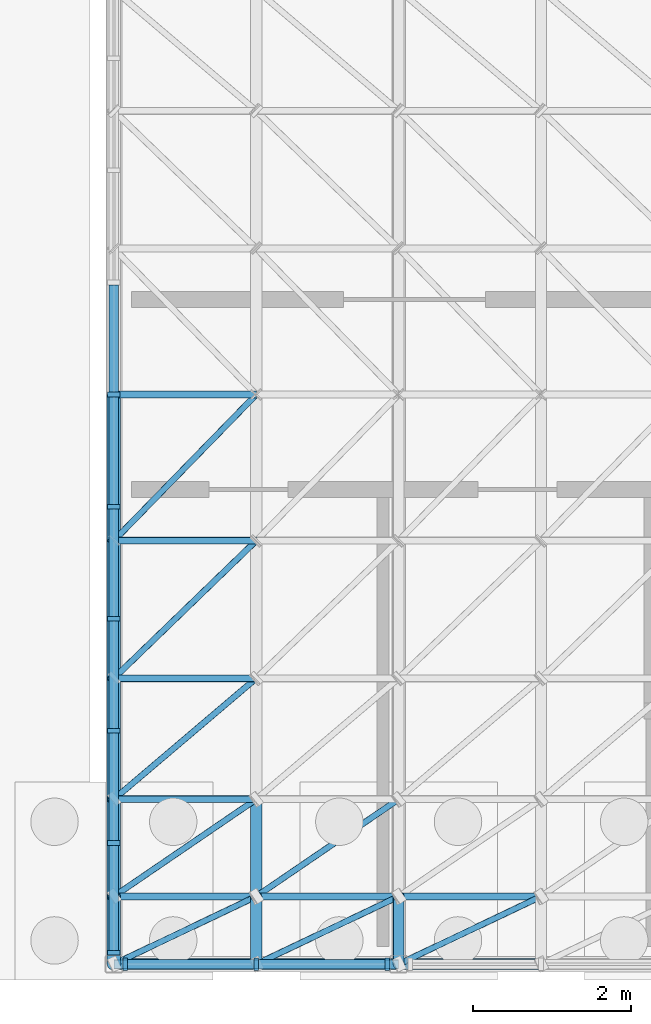
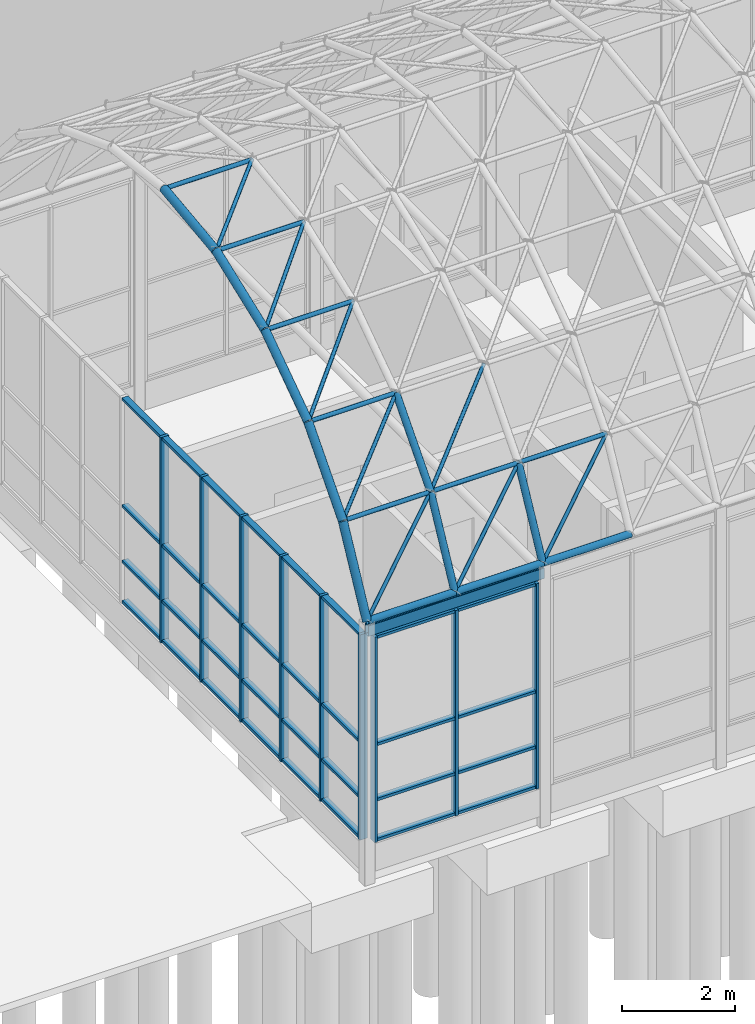
# One storey, part 24 of 116: 67 members, 1 beam, 2 elements without a shape of their own.
"""IFC4 building model written with IfcOpenShell, lengths in metres."""

from ifc_helpers import new_model, si_unit, direction, frame, origin, origin_2d, place, context, subcontext, project, spatial, rectangle, hollow_rectangle, hollow_circle, extrude, material, layer, layer_set, material_profile, profile_set, type_object, element, aggregate, save


model = new_model("IFC4")

# Units and contexts
model_context = context("Model", 3, precision=1e-05, world=origin(), true_north=direction((0.0, 1.0)))
body_context = subcontext(model_context, "Body", "Model", "MODEL_VIEW")
ifc_project = project(units=[si_unit("LENGTHUNIT", "METRE"), si_unit("AREAUNIT", "SQUARE_METRE"), si_unit("VOLUMEUNIT", "CUBIC_METRE"), si_unit("PLANEANGLEUNIT", "RADIAN"), si_unit("MASSUNIT", "GRAM", prefix="KILO")], contexts=[model_context])

# Site, building, storey
site_placement = place(None, origin())
site = spatial("IfcSite", under=ifc_project, at=site_placement, CompositionType="ELEMENT")
building_placement = place(site_placement, origin())
building = spatial("IfcBuilding", under=site, at=building_placement, Name="Ardhachandra Cancer Care Centre", CompositionType="ELEMENT")
storey_placement = place(building_placement, origin())
storey = spatial("IfcBuildingStorey", under=building, at=storey_placement, Name="L00", CompositionType="ELEMENT", Elevation=0.0)

# Beam
ifc_material_1 = material(Name="Steel E350 (IS 2062)", Category="steel")
ifc_material_profile_1 = material_profile(ifc_material_1, hollow_rectangle(XDim=0.1201171875, YDim=0.239990234375, WallThickness=0.006103515625, InnerFilletRadius=0.006103515625, OuterFilletRadius=0.011962890625, at=origin_2d()), Name="RHS 240x120x6.0")
ifc_profile_set_1 = profile_set([ifc_material_profile_1], Name="Steel E350 (IS 2062)")
beam_type = type_object("IfcBeamType", Name="Beam RHS 240x120x6.0", PredefinedType="BEAM", material=ifc_profile_set_1)
beam_placement = place(storey_placement, frame((63.60009765625, 7.199951171875, 5.210205078125), z_axis=(1.0, 0.0, 0.0), x_axis=(0.0, 1.0, 0.0)))
element("IfcBeam", 1, at=beam_placement, inside=storey, type_object=beam_type, Name="Pavilion edge beam S1-2", PredefinedType="BEAM", context=body_context, shape_type="SweptSolid", body=[
    extrude(hollow_rectangle(XDim=0.1201171875, YDim=0.239990234375, WallThickness=0.006103515625, InnerFilletRadius=0.006103515625, OuterFilletRadius=0.011962890625, at=origin_2d()), origin(), (0.0, 0.0, 1.0), 3.599853515625),
])

# Curtain wall, members
ifc_material_2 = material(Name="Aluminium extrusion", Category="aluminium")
ifc_layer = layer(ifc_material_2, 0.14990234375)
ifc_layer_set = layer_set([ifc_layer], Name="Aluminium extrusion")
curtain_wall_type = type_object("IfcCurtainWallType", Name="Curtain wall run", PredefinedType="NOTDEFINED", material=ifc_layer_set)
curtain_wall_1_placement = place(storey_placement, origin())
curtain_wall_1 = element("IfcCurtainWall", 2, at=curtain_wall_1_placement, inside=storey, type_object=curtain_wall_type, Name="Curtain wall L00 s/0063600_0007200", PredefinedType="NOTDEFINED")
ifc_material_3 = material(Name="Aluminium extrusion", Category="aluminium")
ifc_material_profile_2 = material_profile(ifc_material_3, rectangle(XDim=0.159912109375, YDim=0.06005859375, at=origin_2d()), Name="Curtain wall mullion 60 x 160")
ifc_profile_set_2 = profile_set([ifc_material_profile_2], Name="Aluminium extrusion")
member_type_1 = type_object("IfcMemberType", Name="Curtain wall mullion 60 x 160", PredefinedType="MULLION", material=ifc_profile_set_2)
member_1_placement = place(storey_placement, frame((63.7451171875, 7.199951171875, 0.60009765625), z_axis=(0.0, 0.0, 1.0), x_axis=(0.0, 1.0, 0.0)))
member_1 = element("IfcMember", 3, at=member_1_placement, type_object=member_type_1, Name="CW mullion 1", PredefinedType="MULLION", context=body_context, shape_type="SweptSolid", body=[
    extrude(rectangle(XDim=0.159912109375, YDim=0.06005859375, at=origin_2d()), origin(), (0.0, 0.0, 1.0), 4.449951171875),
])
member_2_placement = place(storey_placement, frame((65.39990234375, 7.199951171875, 0.60009765625), z_axis=(0.0, 0.0, 1.0), x_axis=(0.0, 1.0, 0.0)))
member_2 = element("IfcMember", 4, at=member_2_placement, type_object=member_type_1, Name="CW mullion 2", PredefinedType="MULLION", context=body_context, shape_type="SweptSolid", body=[
    extrude(rectangle(XDim=0.159912109375, YDim=0.06005859375, at=origin_2d()), origin(), (0.0, 0.0, 1.0), 4.449951171875),
])
member_3_placement = place(storey_placement, frame((67.054931640625, 7.199951171875, 0.60009765625), z_axis=(0.0, 0.0, 1.0), x_axis=(0.0, 1.0, 0.0)))
member_3 = element("IfcMember", 5, at=member_3_placement, type_object=member_type_1, Name="CW mullion 3", PredefinedType="MULLION", context=body_context, shape_type="SweptSolid", body=[
    extrude(rectangle(XDim=0.159912109375, YDim=0.06005859375, at=origin_2d()), origin(), (0.0, 0.0, 1.0), 4.449951171875),
])

curtain_wall_2_placement = place(storey_placement, origin())
curtain_wall_2 = element("IfcCurtainWall", 6, at=curtain_wall_2_placement, inside=storey, type_object=curtain_wall_type, Name="Curtain wall L00 w/0063600_0007200", PredefinedType="NOTDEFINED")
member_4_placement = place(storey_placement, frame((63.60009765625, 7.344970703125, 0.60009765625), z_axis=(0.0, 0.0, 1.0), x_axis=(-1.0, 0.0, 0.0)))
member_4 = element("IfcMember", 7, at=member_4_placement, type_object=member_type_1, Name="CW mullion 1", PredefinedType="MULLION", context=body_context, shape_type="SweptSolid", body=[
    extrude(rectangle(XDim=0.159912109375, YDim=0.06005859375, at=origin_2d()), origin(), (0.0, 0.0, 1.0), 4.449951171875),
])
member_5_placement = place(storey_placement, frame((63.60009765625, 8.73193359375, 0.60009765625), z_axis=(0.0, 0.0, 1.0), x_axis=(-1.0, 0.0, 0.0)))
member_5 = element("IfcMember", 8, at=member_5_placement, type_object=member_type_1, Name="CW mullion 2", PredefinedType="MULLION", context=body_context, shape_type="SweptSolid", body=[
    extrude(rectangle(XDim=0.159912109375, YDim=0.06005859375, at=origin_2d()), origin(), (0.0, 0.0, 1.0), 4.449951171875),
])
member_6_placement = place(storey_placement, frame((63.60009765625, 10.14892578125, 0.60009765625), z_axis=(0.0, 0.0, 1.0), x_axis=(-1.0, 0.0, 0.0)))
member_6 = element("IfcMember", 9, at=member_6_placement, type_object=member_type_1, Name="CW mullion 3", PredefinedType="MULLION", context=body_context, shape_type="SweptSolid", body=[
    extrude(rectangle(XDim=0.159912109375, YDim=0.06005859375, at=origin_2d()), origin(), (0.0, 0.0, 1.0), 4.449951171875),
])
member_7_placement = place(storey_placement, frame((63.60009765625, 11.56591796875, 0.60009765625), z_axis=(0.0, 0.0, 1.0), x_axis=(-1.0, 0.0, 0.0)))
member_7 = element("IfcMember", 10, at=member_7_placement, type_object=member_type_1, Name="CW mullion 4", PredefinedType="MULLION", context=body_context, shape_type="SweptSolid", body=[
    extrude(rectangle(XDim=0.159912109375, YDim=0.06005859375, at=origin_2d()), origin(), (0.0, 0.0, 1.0), 4.449951171875),
])
member_8_placement = place(storey_placement, frame((63.60009765625, 12.98291015625, 0.60009765625), z_axis=(0.0, 0.0, 1.0), x_axis=(-1.0, 0.0, 0.0)))
member_8 = element("IfcMember", 11, at=member_8_placement, type_object=member_type_1, Name="CW mullion 5", PredefinedType="MULLION", context=body_context, shape_type="SweptSolid", body=[
    extrude(rectangle(XDim=0.159912109375, YDim=0.06005859375, at=origin_2d()), origin(), (0.0, 0.0, 1.0), 4.449951171875),
])
member_9_placement = place(storey_placement, frame((63.60009765625, 14.39990234375, 0.60009765625), z_axis=(0.0, 0.0, 1.0), x_axis=(-1.0, 0.0, 0.0)))
member_9 = element("IfcMember", 12, at=member_9_placement, type_object=member_type_1, Name="CW mullion 6", PredefinedType="MULLION", context=body_context, shape_type="SweptSolid", body=[
    extrude(rectangle(XDim=0.159912109375, YDim=0.06005859375, at=origin_2d()), origin(), (0.0, 0.0, 1.0), 4.449951171875),
])

# Member
ifc_material_4 = material(Name="Aluminium extrusion", Category="aluminium")
ifc_material_profile_3 = material_profile(ifc_material_4, rectangle(XDim=0.1201171875, YDim=0.06005859375, at=origin_2d()), Name="Curtain wall transom 60 x 120")
ifc_profile_set_3 = profile_set([ifc_material_profile_3], Name="Aluminium extrusion")
member_type_2 = type_object("IfcMemberType", Name="Curtain wall transom 60 x 120", PredefinedType="USERDEFINED", material=ifc_profile_set_3)
member_10_placement = place(storey_placement, frame((63.77490234375, 7.199951171875, 0.6298828125), z_axis=(1.0, 0.0, 0.0), x_axis=(0.0, 1.0, 0.0)))
member_10 = element("IfcMember", 13, at=member_10_placement, type_object=member_type_2, Name="CW transom 1.1", ObjectType="TRANSOM", PredefinedType="USERDEFINED", context=body_context, shape_type="SweptSolid", body=[
    extrude(rectangle(XDim=0.1201171875, YDim=0.06005859375, at=origin_2d()), origin(), (0.0, 0.0, 1.0), 1.59521484375),
])

member_11_placement = place(storey_placement, frame((63.77490234375, 7.199951171875, 1.5), z_axis=(1.0, 0.0, 0.0), x_axis=(0.0, 1.0, 0.0)))
member_11 = element("IfcMember", 14, at=member_11_placement, type_object=member_type_2, Name="CW transom 1.2", ObjectType="TRANSOM", PredefinedType="USERDEFINED", context=body_context, shape_type="SweptSolid", body=[
    extrude(rectangle(XDim=0.1201171875, YDim=0.06005859375, at=origin_2d()), origin(), (0.0, 0.0, 1.0), 1.59521484375),
])

member_12_placement = place(storey_placement, frame((63.77490234375, 7.199951171875, 2.699951171875), z_axis=(1.0, 0.0, 0.0), x_axis=(0.0, 1.0, 0.0)))
member_12 = element("IfcMember", 15, at=member_12_placement, type_object=member_type_2, Name="CW transom 1.3", ObjectType="TRANSOM", PredefinedType="USERDEFINED", context=body_context, shape_type="SweptSolid", body=[
    extrude(rectangle(XDim=0.1201171875, YDim=0.06005859375, at=origin_2d()), origin(), (0.0, 0.0, 1.0), 1.59521484375),
])

member_13_placement = place(storey_placement, frame((63.77490234375, 7.199951171875, 5.02001953125), z_axis=(1.0, 0.0, 0.0), x_axis=(0.0, 1.0, 0.0)))
member_13 = element("IfcMember", 16, at=member_13_placement, type_object=member_type_2, Name="CW transom 1.4", ObjectType="TRANSOM", PredefinedType="USERDEFINED", context=body_context, shape_type="SweptSolid", body=[
    extrude(rectangle(XDim=0.1201171875, YDim=0.06005859375, at=origin_2d()), origin(), (0.0, 0.0, 1.0), 1.59521484375),
])

member_14_placement = place(storey_placement, frame((65.429931640625, 7.199951171875, 0.6298828125), z_axis=(1.0, 0.0, 0.0), x_axis=(0.0, 1.0, 0.0)))
member_14 = element("IfcMember", 17, at=member_14_placement, type_object=member_type_2, Name="CW transom 2.1", ObjectType="TRANSOM", PredefinedType="USERDEFINED", context=body_context, shape_type="SweptSolid", body=[
    extrude(rectangle(XDim=0.1201171875, YDim=0.06005859375, at=origin_2d()), origin(), (0.0, 0.0, 1.0), 1.594970703125),
])

member_15_placement = place(storey_placement, frame((65.429931640625, 7.199951171875, 1.5), z_axis=(1.0, 0.0, 0.0), x_axis=(0.0, 1.0, 0.0)))
member_15 = element("IfcMember", 18, at=member_15_placement, type_object=member_type_2, Name="CW transom 2.2", ObjectType="TRANSOM", PredefinedType="USERDEFINED", context=body_context, shape_type="SweptSolid", body=[
    extrude(rectangle(XDim=0.1201171875, YDim=0.06005859375, at=origin_2d()), origin(), (0.0, 0.0, 1.0), 1.594970703125),
])

member_16_placement = place(storey_placement, frame((65.429931640625, 7.199951171875, 2.699951171875), z_axis=(1.0, 0.0, 0.0), x_axis=(0.0, 1.0, 0.0)))
member_16 = element("IfcMember", 19, at=member_16_placement, type_object=member_type_2, Name="CW transom 2.3", ObjectType="TRANSOM", PredefinedType="USERDEFINED", context=body_context, shape_type="SweptSolid", body=[
    extrude(rectangle(XDim=0.1201171875, YDim=0.06005859375, at=origin_2d()), origin(), (0.0, 0.0, 1.0), 1.594970703125),
])

member_17_placement = place(storey_placement, frame((65.429931640625, 7.199951171875, 5.02001953125), z_axis=(1.0, 0.0, 0.0), x_axis=(0.0, 1.0, 0.0)))
member_17 = element("IfcMember", 20, at=member_17_placement, type_object=member_type_2, Name="CW transom 2.4", ObjectType="TRANSOM", PredefinedType="USERDEFINED", context=body_context, shape_type="SweptSolid", body=[
    extrude(rectangle(XDim=0.1201171875, YDim=0.06005859375, at=origin_2d()), origin(), (0.0, 0.0, 1.0), 1.594970703125),
])

aggregate(curtain_wall_1, [member_1, member_2, member_3, member_10, member_11, member_12, member_13, member_14, member_15, member_16, member_17])

member_18_placement = place(storey_placement, frame((63.60009765625, 7.375, 0.6298828125), z_axis=(0.0, 1.0, 0.0), x_axis=(-1.0, 0.0, 0.0)))
member_18 = element("IfcMember", 21, at=member_18_placement, type_object=member_type_2, Name="CW transom 1.1", ObjectType="TRANSOM", PredefinedType="USERDEFINED", context=body_context, shape_type="SweptSolid", body=[
    extrude(rectangle(XDim=0.1201171875, YDim=0.06005859375, at=origin_2d()), origin(), (0.0, 0.0, 1.0), 1.326904296875),
])

member_19_placement = place(storey_placement, frame((63.60009765625, 7.375, 1.5), z_axis=(0.0, 1.0, 0.0), x_axis=(-1.0, 0.0, 0.0)))
member_19 = element("IfcMember", 22, at=member_19_placement, type_object=member_type_2, Name="CW transom 1.2", ObjectType="TRANSOM", PredefinedType="USERDEFINED", context=body_context, shape_type="SweptSolid", body=[
    extrude(rectangle(XDim=0.1201171875, YDim=0.06005859375, at=origin_2d()), origin(), (0.0, 0.0, 1.0), 1.326904296875),
])

member_20_placement = place(storey_placement, frame((63.60009765625, 7.375, 2.699951171875), z_axis=(0.0, 1.0, 0.0), x_axis=(-1.0, 0.0, 0.0)))
member_20 = element("IfcMember", 23, at=member_20_placement, type_object=member_type_2, Name="CW transom 1.3", ObjectType="TRANSOM", PredefinedType="USERDEFINED", context=body_context, shape_type="SweptSolid", body=[
    extrude(rectangle(XDim=0.1201171875, YDim=0.06005859375, at=origin_2d()), origin(), (0.0, 0.0, 1.0), 1.326904296875),
])

member_21_placement = place(storey_placement, frame((63.60009765625, 7.375, 5.02001953125), z_axis=(0.0, 1.0, 0.0), x_axis=(-1.0, 0.0, 0.0)))
member_21 = element("IfcMember", 24, at=member_21_placement, type_object=member_type_2, Name="CW transom 1.4", ObjectType="TRANSOM", PredefinedType="USERDEFINED", context=body_context, shape_type="SweptSolid", body=[
    extrude(rectangle(XDim=0.1201171875, YDim=0.06005859375, at=origin_2d()), origin(), (0.0, 0.0, 1.0), 1.326904296875),
])

member_22_placement = place(storey_placement, frame((63.60009765625, 8.761962890625, 0.6298828125), z_axis=(0.0, 1.0, 0.0), x_axis=(-1.0, 0.0, 0.0)))
member_22 = element("IfcMember", 25, at=member_22_placement, type_object=member_type_2, Name="CW transom 2.1", ObjectType="TRANSOM", PredefinedType="USERDEFINED", context=body_context, shape_type="SweptSolid", body=[
    extrude(rectangle(XDim=0.1201171875, YDim=0.06005859375, at=origin_2d()), origin(), (0.0, 0.0, 1.0), 1.35693359375),
])

member_23_placement = place(storey_placement, frame((63.60009765625, 8.761962890625, 1.5), z_axis=(0.0, 1.0, 0.0), x_axis=(-1.0, 0.0, 0.0)))
member_23 = element("IfcMember", 26, at=member_23_placement, type_object=member_type_2, Name="CW transom 2.2", ObjectType="TRANSOM", PredefinedType="USERDEFINED", context=body_context, shape_type="SweptSolid", body=[
    extrude(rectangle(XDim=0.1201171875, YDim=0.06005859375, at=origin_2d()), origin(), (0.0, 0.0, 1.0), 1.35693359375),
])

member_24_placement = place(storey_placement, frame((63.60009765625, 8.761962890625, 2.699951171875), z_axis=(0.0, 1.0, 0.0), x_axis=(-1.0, 0.0, 0.0)))
member_24 = element("IfcMember", 27, at=member_24_placement, type_object=member_type_2, Name="CW transom 2.3", ObjectType="TRANSOM", PredefinedType="USERDEFINED", context=body_context, shape_type="SweptSolid", body=[
    extrude(rectangle(XDim=0.1201171875, YDim=0.06005859375, at=origin_2d()), origin(), (0.0, 0.0, 1.0), 1.35693359375),
])

member_25_placement = place(storey_placement, frame((63.60009765625, 8.761962890625, 5.02001953125), z_axis=(0.0, 1.0, 0.0), x_axis=(-1.0, 0.0, 0.0)))
member_25 = element("IfcMember", 28, at=member_25_placement, type_object=member_type_2, Name="CW transom 2.4", ObjectType="TRANSOM", PredefinedType="USERDEFINED", context=body_context, shape_type="SweptSolid", body=[
    extrude(rectangle(XDim=0.1201171875, YDim=0.06005859375, at=origin_2d()), origin(), (0.0, 0.0, 1.0), 1.35693359375),
])

member_26_placement = place(storey_placement, frame((63.60009765625, 10.178955078125, 0.6298828125), z_axis=(0.0, 1.0, 0.0), x_axis=(-1.0, 0.0, 0.0)))
member_26 = element("IfcMember", 29, at=member_26_placement, type_object=member_type_2, Name="CW transom 3.1", ObjectType="TRANSOM", PredefinedType="USERDEFINED", context=body_context, shape_type="SweptSolid", body=[
    extrude(rectangle(XDim=0.1201171875, YDim=0.06005859375, at=origin_2d()), origin(), (0.0, 0.0, 1.0), 1.35693359375),
])

member_27_placement = place(storey_placement, frame((63.60009765625, 10.178955078125, 1.5), z_axis=(0.0, 1.0, 0.0), x_axis=(-1.0, 0.0, 0.0)))
member_27 = element("IfcMember", 30, at=member_27_placement, type_object=member_type_2, Name="CW transom 3.2", ObjectType="TRANSOM", PredefinedType="USERDEFINED", context=body_context, shape_type="SweptSolid", body=[
    extrude(rectangle(XDim=0.1201171875, YDim=0.06005859375, at=origin_2d()), origin(), (0.0, 0.0, 1.0), 1.35693359375),
])

member_28_placement = place(storey_placement, frame((63.60009765625, 10.178955078125, 2.699951171875), z_axis=(0.0, 1.0, 0.0), x_axis=(-1.0, 0.0, 0.0)))
member_28 = element("IfcMember", 31, at=member_28_placement, type_object=member_type_2, Name="CW transom 3.3", ObjectType="TRANSOM", PredefinedType="USERDEFINED", context=body_context, shape_type="SweptSolid", body=[
    extrude(rectangle(XDim=0.1201171875, YDim=0.06005859375, at=origin_2d()), origin(), (0.0, 0.0, 1.0), 1.35693359375),
])

member_29_placement = place(storey_placement, frame((63.60009765625, 10.178955078125, 5.02001953125), z_axis=(0.0, 1.0, 0.0), x_axis=(-1.0, 0.0, 0.0)))
member_29 = element("IfcMember", 32, at=member_29_placement, type_object=member_type_2, Name="CW transom 3.4", ObjectType="TRANSOM", PredefinedType="USERDEFINED", context=body_context, shape_type="SweptSolid", body=[
    extrude(rectangle(XDim=0.1201171875, YDim=0.06005859375, at=origin_2d()), origin(), (0.0, 0.0, 1.0), 1.35693359375),
])

member_30_placement = place(storey_placement, frame((63.60009765625, 11.595947265625, 0.6298828125), z_axis=(0.0, 1.0, 0.0), x_axis=(-1.0, 0.0, 0.0)))
member_30 = element("IfcMember", 33, at=member_30_placement, type_object=member_type_2, Name="CW transom 4.1", ObjectType="TRANSOM", PredefinedType="USERDEFINED", context=body_context, shape_type="SweptSolid", body=[
    extrude(rectangle(XDim=0.1201171875, YDim=0.06005859375, at=origin_2d()), origin(), (0.0, 0.0, 1.0), 1.35693359375),
])

member_31_placement = place(storey_placement, frame((63.60009765625, 11.595947265625, 1.5), z_axis=(0.0, 1.0, 0.0), x_axis=(-1.0, 0.0, 0.0)))
member_31 = element("IfcMember", 34, at=member_31_placement, type_object=member_type_2, Name="CW transom 4.2", ObjectType="TRANSOM", PredefinedType="USERDEFINED", context=body_context, shape_type="SweptSolid", body=[
    extrude(rectangle(XDim=0.1201171875, YDim=0.06005859375, at=origin_2d()), origin(), (0.0, 0.0, 1.0), 1.35693359375),
])

member_32_placement = place(storey_placement, frame((63.60009765625, 11.595947265625, 2.699951171875), z_axis=(0.0, 1.0, 0.0), x_axis=(-1.0, 0.0, 0.0)))
member_32 = element("IfcMember", 35, at=member_32_placement, type_object=member_type_2, Name="CW transom 4.3", ObjectType="TRANSOM", PredefinedType="USERDEFINED", context=body_context, shape_type="SweptSolid", body=[
    extrude(rectangle(XDim=0.1201171875, YDim=0.06005859375, at=origin_2d()), origin(), (0.0, 0.0, 1.0), 1.35693359375),
])

member_33_placement = place(storey_placement, frame((63.60009765625, 11.595947265625, 5.02001953125), z_axis=(0.0, 1.0, 0.0), x_axis=(-1.0, 0.0, 0.0)))
member_33 = element("IfcMember", 36, at=member_33_placement, type_object=member_type_2, Name="CW transom 4.4", ObjectType="TRANSOM", PredefinedType="USERDEFINED", context=body_context, shape_type="SweptSolid", body=[
    extrude(rectangle(XDim=0.1201171875, YDim=0.06005859375, at=origin_2d()), origin(), (0.0, 0.0, 1.0), 1.35693359375),
])

member_34_placement = place(storey_placement, frame((63.60009765625, 13.012939453125, 0.6298828125), z_axis=(0.0, 1.0, 0.0), x_axis=(-1.0, 0.0, 0.0)))
member_34 = element("IfcMember", 37, at=member_34_placement, type_object=member_type_2, Name="CW transom 5.1", ObjectType="TRANSOM", PredefinedType="USERDEFINED", context=body_context, shape_type="SweptSolid", body=[
    extrude(rectangle(XDim=0.1201171875, YDim=0.06005859375, at=origin_2d()), origin(), (0.0, 0.0, 1.0), 1.357177734375),
])

member_35_placement = place(storey_placement, frame((63.60009765625, 13.012939453125, 1.5), z_axis=(0.0, 1.0, 0.0), x_axis=(-1.0, 0.0, 0.0)))
member_35 = element("IfcMember", 38, at=member_35_placement, type_object=member_type_2, Name="CW transom 5.2", ObjectType="TRANSOM", PredefinedType="USERDEFINED", context=body_context, shape_type="SweptSolid", body=[
    extrude(rectangle(XDim=0.1201171875, YDim=0.06005859375, at=origin_2d()), origin(), (0.0, 0.0, 1.0), 1.357177734375),
])

member_36_placement = place(storey_placement, frame((63.60009765625, 13.012939453125, 2.699951171875), z_axis=(0.0, 1.0, 0.0), x_axis=(-1.0, 0.0, 0.0)))
member_36 = element("IfcMember", 39, at=member_36_placement, type_object=member_type_2, Name="CW transom 5.3", ObjectType="TRANSOM", PredefinedType="USERDEFINED", context=body_context, shape_type="SweptSolid", body=[
    extrude(rectangle(XDim=0.1201171875, YDim=0.06005859375, at=origin_2d()), origin(), (0.0, 0.0, 1.0), 1.357177734375),
])

member_37_placement = place(storey_placement, frame((63.60009765625, 13.012939453125, 5.02001953125), z_axis=(0.0, 1.0, 0.0), x_axis=(-1.0, 0.0, 0.0)))
member_37 = element("IfcMember", 40, at=member_37_placement, type_object=member_type_2, Name="CW transom 5.4", ObjectType="TRANSOM", PredefinedType="USERDEFINED", context=body_context, shape_type="SweptSolid", body=[
    extrude(rectangle(XDim=0.1201171875, YDim=0.06005859375, at=origin_2d()), origin(), (0.0, 0.0, 1.0), 1.357177734375),
])

member_38_placement = place(storey_placement, frame((63.60009765625, 14.429931640625, 0.6298828125), z_axis=(0.0, 1.0, 0.0), x_axis=(-1.0, 0.0, 0.0)))
member_38 = element("IfcMember", 41, at=member_38_placement, type_object=member_type_2, Name="CW transom 6.1", ObjectType="TRANSOM", PredefinedType="USERDEFINED", context=body_context, shape_type="SweptSolid", body=[
    extrude(rectangle(XDim=0.1201171875, YDim=0.06005859375, at=origin_2d()), origin(), (0.0, 0.0, 1.0), 1.357177734375),
])

member_39_placement = place(storey_placement, frame((63.60009765625, 14.429931640625, 1.5), z_axis=(0.0, 1.0, 0.0), x_axis=(-1.0, 0.0, 0.0)))
member_39 = element("IfcMember", 42, at=member_39_placement, type_object=member_type_2, Name="CW transom 6.2", ObjectType="TRANSOM", PredefinedType="USERDEFINED", context=body_context, shape_type="SweptSolid", body=[
    extrude(rectangle(XDim=0.1201171875, YDim=0.06005859375, at=origin_2d()), origin(), (0.0, 0.0, 1.0), 1.357177734375),
])

member_40_placement = place(storey_placement, frame((63.60009765625, 14.429931640625, 2.699951171875), z_axis=(0.0, 1.0, 0.0), x_axis=(-1.0, 0.0, 0.0)))
member_40 = element("IfcMember", 43, at=member_40_placement, type_object=member_type_2, Name="CW transom 6.3", ObjectType="TRANSOM", PredefinedType="USERDEFINED", context=body_context, shape_type="SweptSolid", body=[
    extrude(rectangle(XDim=0.1201171875, YDim=0.06005859375, at=origin_2d()), origin(), (0.0, 0.0, 1.0), 1.357177734375),
])

member_41_placement = place(storey_placement, frame((63.60009765625, 14.429931640625, 5.02001953125), z_axis=(0.0, 1.0, 0.0), x_axis=(-1.0, 0.0, 0.0)))
member_41 = element("IfcMember", 44, at=member_41_placement, type_object=member_type_2, Name="CW transom 6.4", ObjectType="TRANSOM", PredefinedType="USERDEFINED", context=body_context, shape_type="SweptSolid", body=[
    extrude(rectangle(XDim=0.1201171875, YDim=0.06005859375, at=origin_2d()), origin(), (0.0, 0.0, 1.0), 1.357177734375),
])

aggregate(curtain_wall_2, [member_4, member_5, member_6, member_7, member_8, member_9, member_18, member_19, member_20, member_21, member_22, member_23, member_24, member_25, member_26, member_27, member_28, member_29, member_30, member_31, member_32, member_33, member_34, member_35, member_36, member_37, member_38, member_39, member_40, member_41])

# Members
ifc_material_5 = material(Name="Steel E350 (IS 2062)", Category="steel")
ifc_material_profile_4 = material_profile(ifc_material_5, hollow_circle(Radius=0.0380859375, WallThickness=0.00390625, at=origin_2d()), Name="CHS 76.1x4.0")
ifc_profile_set_4 = profile_set([ifc_material_profile_4], Name="Steel E350 (IS 2062)")
member_type_3 = type_object("IfcMemberType", Name="Pavilion shell Diagonal CHS 76.1x4.0", PredefinedType="BRACE", material=ifc_profile_set_4)
member_42_placement = place(storey_placement, frame((63.60009765625, 7.199951171875, 5.39990234375), z_axis=(0.69516776168, 0.330798766681, 0.638211531613), x_axis=(-0.429686325077, 0.902978217922, 0.0)))
element("IfcMember", 45, at=member_42_placement, inside=storey, type_object=member_type_3, Name="Pavilion shell diagonal 00-00", PredefinedType="BRACE", context=body_context, shape_type="SweptSolid", body=[
    extrude(hollow_circle(Radius=0.0380859375, WallThickness=0.00390625, at=origin_2d()), origin(), (0.0, 0.0, 1.0), 2.589111328125),
])
member_43_placement = place(storey_placement, frame((63.60009765625, 8.056396484375, 7.05224609375), z_axis=(0.695179469854, 0.474517511164, 0.539961698912), x_axis=(-0.56376782788, 0.825933312228, 0.0)))
element("IfcMember", 46, at=member_43_placement, inside=storey, type_object=member_type_3, Name="Pavilion shell diagonal 00-01", PredefinedType="BRACE", context=body_context, shape_type="SweptSolid", body=[
    extrude(hollow_circle(Radius=0.0380859375, WallThickness=0.00390625, at=origin_2d()), origin(), (0.0, 0.0, 1.0), 2.5888671875),
])
member_44_placement = place(storey_placement, frame((63.60009765625, 9.284912109375, 8.4501953125), z_axis=(0.695149650411, 0.590481159913, 0.409998735755), x_axis=(-0.647396299531, 0.76215354841, 0.0)))
element("IfcMember", 47, at=member_44_placement, inside=storey, type_object=member_type_3, Name="Pavilion shell diagonal 00-02", PredefinedType="BRACE", context=body_context, shape_type="SweptSolid", body=[
    extrude(hollow_circle(Radius=0.0380859375, WallThickness=0.00390625, at=origin_2d()), origin(), (0.0, 0.0, 1.0), 2.589111328125),
])
for number, where, z_axis, x_axis, name in (
    (48, (63.60009765625, 10.813720703125, 9.51171875), (0.695178684757, 0.671698015671, 0.256024162929), (-0.694857345354, 0.71914759932, 0.0), "Pavilion shell diagonal 00-03"),
    (49, (63.60009765625, 12.552734375, 10.174560546875), (0.695215992153, 0.713511149841, 0.087043456424), (-0.716229588145, 0.69786472691, 0.0), "Pavilion shell diagonal 00-04"),
):
    element("IfcMember", number, at=place(storey_placement, frame(where, z_axis=z_axis, x_axis=x_axis)), inside=storey, type_object=member_type_3, Name=name, PredefinedType="BRACE", context=body_context, shape_type="SweptSolid", body=[
        extrude(hollow_circle(Radius=0.0380859375, WallThickness=0.00390625, at=origin_2d()), origin(), (0.0, 0.0, 1.0), 2.5888671875),
    ])
for number, where, z_axis, x_axis, name in (
    (50, (65.39990234375, 7.199951171875, 5.39990234375), (0.695216484809, 0.330777082424, 0.638169696079), (-0.429638804888, 0.903000829088, 0.0), "Pavilion shell diagonal 01-00"),
    (51, (65.39990234375, 8.056396484375, 7.05224609375), (0.695228192268, 0.474486404923, 0.539926302581), (-0.563715663494, 0.825968916323, 0.0), "Pavilion shell diagonal 01-01"),
    (52, (67.199951171875, 7.199951171875, 5.39990234375), (0.695216484809, 0.330777082424, 0.638169696079), (-0.429638804888, 0.903000829088, 0.0), "Pavilion shell diagonal 02-00"),
):
    element("IfcMember", number, at=place(storey_placement, frame(where, z_axis=z_axis, x_axis=x_axis)), inside=storey, type_object=member_type_3, Name=name, PredefinedType="BRACE", context=body_context, shape_type="SweptSolid", body=[
        extrude(hollow_circle(Radius=0.0380859375, WallThickness=0.00390625, at=origin_2d()), origin(), (0.0, 0.0, 1.0), 2.589111328125),
    ])
ifc_material_6 = material(Name="Steel E350 (IS 2062)", Category="steel")
ifc_material_profile_5 = material_profile(ifc_material_6, hollow_circle(Radius=0.06982421875, WallThickness=0.0048828125, at=origin_2d()), Name="CHS 139.7x5.0")
ifc_profile_set_5 = profile_set([ifc_material_profile_5], Name="Steel E350 (IS 2062)")
member_type_4 = type_object("IfcMemberType", Name="Pavilion shell Purlin CHS 139.7x5.0", PredefinedType="PURLIN", material=ifc_profile_set_5)
member_45_placement = place(storey_placement, frame((63.60009765625, 7.199951171875, 5.39990234375), z_axis=(1.0, 0.0, 0.0), x_axis=(0.0, 1.0, 0.0)))
element("IfcMember", 53, at=member_45_placement, inside=storey, type_object=member_type_4, Name="Pavilion shell purlin 00-00", PredefinedType="PURLIN", context=body_context, shape_type="SweptSolid", body=[
    extrude(hollow_circle(Radius=0.06982421875, WallThickness=0.0048828125, at=origin_2d()), origin(), (0.0, 0.0, 1.0), 1.7998046875),
])
for number, where, z_axis, x_axis, name in (
    (54, (65.39990234375, 7.199951171875, 5.39990234375), (1.0, 0.0, 0.0), (0.0, 1.0, 0.0), "Pavilion shell purlin 01-00"),
    (55, (67.199951171875, 7.199951171875, 5.39990234375), (1.0, 0.0, 0.0), (0.0, 1.0, 0.0), "Pavilion shell purlin 02-00"),
):
    element("IfcMember", number, at=place(storey_placement, frame(where, z_axis=z_axis, x_axis=x_axis)), inside=storey, type_object=member_type_4, Name=name, PredefinedType="PURLIN", context=body_context, shape_type="SweptSolid", body=[
        extrude(hollow_circle(Radius=0.06982421875, WallThickness=0.0048828125, at=origin_2d()), origin(), (0.0, 0.0, 1.0), 1.800048828125),
    ])
ifc_material_7 = material(Name="Steel E350 (IS 2062)", Category="steel")
ifc_material_profile_6 = material_profile(ifc_material_7, hollow_circle(Radius=0.04443359375, WallThickness=0.00390625, at=origin_2d()), Name="CHS 88.9x4.0")
ifc_profile_set_6 = profile_set([ifc_material_profile_6], Name="Steel E350 (IS 2062)")
member_type_5 = type_object("IfcMemberType", Name="Pavilion shell Purlin CHS 88.9x4.0", PredefinedType="PURLIN", material=ifc_profile_set_6)
member_46_placement = place(storey_placement, frame((63.60009765625, 8.056396484375, 7.05224609375), z_axis=(1.0, 0.0, 0.0), x_axis=(0.0, 1.0, 0.0)))
element("IfcMember", 56, at=member_46_placement, inside=storey, type_object=member_type_5, Name="Pavilion shell purlin 00-01", PredefinedType="PURLIN", context=body_context, shape_type="SweptSolid", body=[
    extrude(hollow_circle(Radius=0.04443359375, WallThickness=0.00390625, at=origin_2d()), origin(), (0.0, 0.0, 1.0), 1.7998046875),
])
for number, where, z_axis, x_axis, name in (
    (57, (65.39990234375, 8.056396484375, 7.05224609375), (1.0, 0.0, 0.0), (0.0, 1.0, 0.0), "Pavilion shell purlin 01-01"),
    (58, (67.199951171875, 8.056396484375, 7.05224609375), (1.0, 0.0, 0.0), (0.0, 1.0, 0.0), "Pavilion shell purlin 02-01"),
):
    element("IfcMember", number, at=place(storey_placement, frame(where, z_axis=z_axis, x_axis=x_axis)), inside=storey, type_object=member_type_5, Name=name, PredefinedType="PURLIN", context=body_context, shape_type="SweptSolid", body=[
        extrude(hollow_circle(Radius=0.04443359375, WallThickness=0.00390625, at=origin_2d()), origin(), (0.0, 0.0, 1.0), 1.800048828125),
    ])
for number, where, z_axis, x_axis, name in (
    (59, (63.60009765625, 9.284912109375, 8.4501953125), (1.0, 0.0, 0.0), (0.0, 1.0, 0.0), "Pavilion shell purlin 00-02"),
    (60, (63.60009765625, 10.813720703125, 9.51171875), (1.0, 0.0, 0.0), (0.0, 1.0, 0.0), "Pavilion shell purlin 00-03"),
    (61, (63.60009765625, 12.552734375, 10.174560546875), (1.0, 0.0, 0.0), (0.0, 1.0, 0.0), "Pavilion shell purlin 00-04"),
    (62, (63.60009765625, 14.39990234375, 10.39990234375), (1.0, 0.0, 0.0), (0.0, 1.0, 0.0), "Pavilion shell purlin 00-05"),
):
    element("IfcMember", number, at=place(storey_placement, frame(where, z_axis=z_axis, x_axis=x_axis)), inside=storey, type_object=member_type_5, Name=name, PredefinedType="PURLIN", context=body_context, shape_type="SweptSolid", body=[
        extrude(hollow_circle(Radius=0.04443359375, WallThickness=0.00390625, at=origin_2d()), origin(), (0.0, 0.0, 1.0), 1.7998046875),
    ])
ifc_material_8 = material(Name="Steel E350 (IS 2062)", Category="steel")
ifc_material_profile_7 = material_profile(ifc_material_8, hollow_circle(Radius=0.06982421875, WallThickness=0.0048828125, at=origin_2d()), Name="CHS 139.7x5.0")
ifc_profile_set_7 = profile_set([ifc_material_profile_7], Name="Steel E350 (IS 2062)")
member_type_6 = type_object("IfcMemberType", Name="Pavilion shell Rib CHS 139.7x5.0", PredefinedType="RAFTER", material=ifc_profile_set_7)
for number, where, z_axis, x_axis, name in (
    (63, (65.39990234375, 7.199951171875, 5.39990234375), (0.0, 0.460179313582, 0.8878259961), (-1.0, 0.0, 0.0), "Pavilion shell rib 01-00"),
    (64, (65.39990234375, 8.056396484375, 7.05224609375), (0.0, 0.66011909381, 0.751160956112), (-1.0, 0.0, 0.0), "Pavilion shell rib 01-01"),
    (65, (67.199951171875, 7.199951171875, 5.39990234375), (0.0, 0.460179313582, 0.8878259961), (-1.0, 0.0, 0.0), "Pavilion shell rib 02-00"),
):
    element("IfcMember", number, at=place(storey_placement, frame(where, z_axis=z_axis, x_axis=x_axis)), inside=storey, type_object=member_type_6, Name=name, PredefinedType="RAFTER", context=body_context, shape_type="SweptSolid", body=[
        extrude(hollow_circle(Radius=0.06982421875, WallThickness=0.0048828125, at=origin_2d()), origin(), (0.0, 0.0, 1.0), 1.861083984375),
    ])
ifc_material_9 = material(Name="Steel E350 (IS 2062)", Category="steel")
ifc_material_profile_8 = material_profile(ifc_material_9, hollow_circle(Radius=0.084228515625, WallThickness=0.00634765625, at=origin_2d()), Name="CHS 168.3x6.3")
ifc_profile_set_8 = profile_set([ifc_material_profile_8], Name="Steel E350 (IS 2062)")
member_type_7 = type_object("IfcMemberType", Name="Pavilion shell Rib CHS 168.3x6.3", PredefinedType="RAFTER", material=ifc_profile_set_8)
for number, where, z_axis, x_axis, name in (
    (66, (63.60009765625, 7.199951171875, 5.39990234375), (0.0, 0.460179313582, 0.8878259961), (-1.0, 0.0, 0.0), "Pavilion shell rib 00-00"),
    (67, (63.60009765625, 8.056396484375, 7.05224609375), (0.0, 0.66011909381, 0.751160956112), (-1.0, 0.0, 0.0), "Pavilion shell rib 00-01"),
    (68, (63.60009765625, 9.284912109375, 8.4501953125), (0.0, 0.821407520032, 0.570341727419), (-1.0, 0.0, 0.0), "Pavilion shell rib 00-02"),
    (69, (63.60009765625, 10.813720703125, 9.51171875), (0.0, 0.934423296617, 0.356164432165), (-1.0, 0.0, 0.0), "Pavilion shell rib 00-03"),
):
    element("IfcMember", number, at=place(storey_placement, frame(where, z_axis=z_axis, x_axis=x_axis)), inside=storey, type_object=member_type_7, Name=name, PredefinedType="RAFTER", context=body_context, shape_type="SweptSolid", body=[
        extrude(hollow_circle(Radius=0.084228515625, WallThickness=0.00634765625, at=origin_2d()), origin(), (0.0, 0.0, 1.0), 1.861083984375),
    ])
member_47_placement = place(storey_placement, frame((63.60009765625, 12.552734375, 10.174560546875), z_axis=(0.0, 0.992640877969, 0.121095364838), x_axis=(-1.0, 0.0, 0.0)))
element("IfcMember", 70, at=member_47_placement, inside=storey, type_object=member_type_7, Name="Pavilion shell rib 00-04", PredefinedType="RAFTER", context=body_context, shape_type="SweptSolid", body=[
    extrude(hollow_circle(Radius=0.084228515625, WallThickness=0.00634765625, at=origin_2d()), origin(), (0.0, 0.0, 1.0), 1.86083984375),
])

save(model, "model.ifc")
